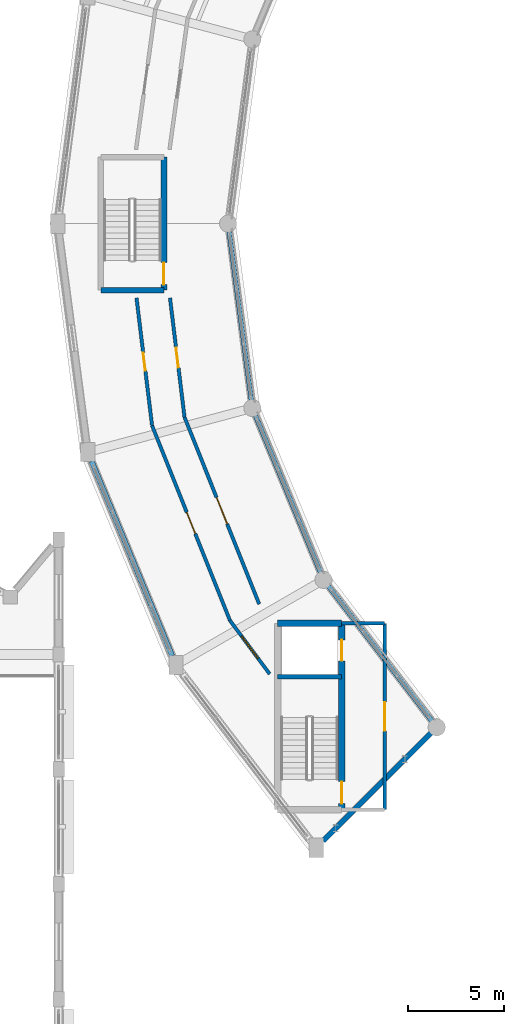
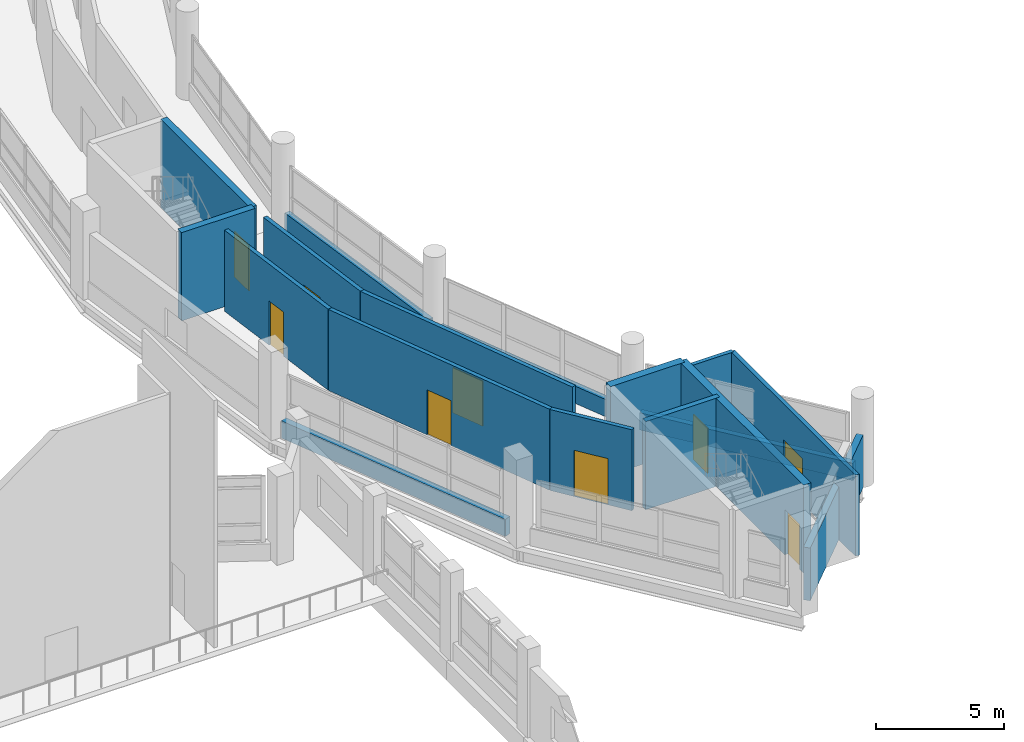
# One storey, part 109 of 128: 17 walls, 9 doors, 9 openings.
"""IFC4 building model written with IfcOpenShell, lengths in metres."""

from ifc_helpers import new_model, si_unit, direction, frame, frame_2d, origin, place, context, subcontext, project, spatial, rectangle, extrude, material, layer, layer_set, type_object, element, fill, save


model = new_model("IFC4")

# Units and contexts
model_context = context("Model", 3, precision=1e-05, world=origin(), true_north=direction((0.0, 1.0)))
body_context = subcontext(model_context, "Body", "Model", "MODEL_VIEW")
ifc_project = project(units=[si_unit("LENGTHUNIT", "METRE"), si_unit("AREAUNIT", "SQUARE_METRE"), si_unit("VOLUMEUNIT", "CUBIC_METRE"), si_unit("PLANEANGLEUNIT", "RADIAN"), si_unit("MASSUNIT", "GRAM", prefix="KILO")], contexts=[model_context])

# Site, building, storey
site_placement = place(None, origin())
site = spatial("IfcSite", under=ifc_project, at=site_placement, CompositionType="ELEMENT")
building_placement = place(site_placement, origin())
building = spatial("IfcBuilding", under=site, at=building_placement, Name="Vespera Passage Community Centre", CompositionType="ELEMENT")
storey_placement = place(building_placement, frame((0.0, 0.0, 4.5)))
storey = spatial("IfcBuildingStorey", under=building, at=storey_placement, Name="L01", CompositionType="ELEMENT", Elevation=4.5)

# Wall, opening, door
ifc_material_1 = material(Name="Concrete f'c 45 MPa", Category="concrete")
ifc_layer_1 = layer(ifc_material_1, 0.300048828125)
ifc_layer_set_1 = layer_set([ifc_layer_1], Name="Concrete f'c 45 MPa")
wall_type_1 = type_object("IfcWallType", Name="WT-CORE-300I", PredefinedType="SHEAR", material=ifc_layer_set_1)
wall_1_placement = place(storey_placement, frame((37.449951171875, 68.97509765625, 0.0), z_axis=(0.0, 0.0, 1.0), x_axis=(0.0, -1.0, 0.0)))
wall_1 = element("IfcWall", 1, at=wall_1_placement, inside=storey, type_object=wall_type_1, Name="Core C2 L01 Shear Wall FRONT", PredefinedType="SHEAR", context=body_context, shape_type="SweptSolid", body=[
    extrude(rectangle(XDim=6.9501953125, YDim=0.300048828125, at=frame_2d((3.47509765625, 0.0))), origin(), (0.0, 0.0, 1.0), 4.199951171875),
])
opening_1_placement = place(wall_1_placement, frame((5.5048828125, 0.0, 0.0)))
opening_1 = element("IfcOpeningElement", 2, at=opening_1_placement, cuts=wall_1, Name="Opening DT-STAIR-90", PredefinedType="OPENING", context=body_context, shape_type="SweptSolid", body=[
    extrude(rectangle(XDim=1.14990234375, YDim=2.14990234375, at=frame_2d((0.574951171875, 1.074951171875))), frame((0.0, 0.159912109375, 0.0), z_axis=(0.0, -1.0, 0.0), x_axis=(1.0, 0.0, 0.0)), (0.0, 0.0, 1.0), 0.320068359375),
])
ifc_material_2 = material(Name="Painted hollow-metal acoustic door", Category="steel")
door_type_1 = type_object("IfcDoorType", Name="DT-STAIR-90", OperationType="NOTDEFINED", PredefinedType="DOOR", material=ifc_material_2)
door_1_placement = place(opening_1_placement, origin())
door_1 = element("IfcDoor", 3, at=door_1_placement, inside=storey, type_object=door_type_1, Name="Core C2 L01 Exit Stair Door D-066", OperationType="SINGLE_SWING_RIGHT", OverallHeight=2.14990234375, OverallWidth=1.14990234375, PredefinedType="DOOR", context=body_context, shape_type="SweptSolid", body=[
    extrude(rectangle(XDim=1.14990234375, YDim=2.14990234375, at=frame_2d((0.574951171875, 1.074951171875))), frame((0.0, 0.02490234375, 0.0), z_axis=(0.0, -1.0, 0.0), x_axis=(1.0, 0.0, 0.0)), (0.0, 0.0, 1.0), 0.050048828125),
])
fill(opening_1, door_1)

# Wall
wall_2_placement = place(storey_placement, frame((37.449951171875, 62.02490234375, 0.0), z_axis=(0.0, 0.0, 1.0), x_axis=(-1.0, 0.0, 0.0)))
element("IfcWall", 4, at=wall_2_placement, inside=storey, type_object=wall_type_1, Name="Core C2 L01 Shear Wall LEFT", PredefinedType="SHEAR", context=body_context, shape_type="SweptSolid", body=[
    extrude(rectangle(XDim=3.300048828125, YDim=0.300048828125, at=frame_2d((1.64990234375, 0.0))), origin(), (0.0, 0.0, 1.0), 4.199951171875),
])

# Wall, openings, doors
ifc_material_3 = material(Name="Concrete f'c 45 MPa", Category="concrete")
ifc_layer_2 = layer(ifc_material_3, 0.340087890625)
ifc_layer_set_2 = layer_set([ifc_layer_2], Name="Concrete f'c 45 MPa")
wall_type_2 = type_object("IfcWallType", Name="WT-CORE-340I", PredefinedType="SHEAR", material=ifc_layer_set_2)
wall_3_placement = place(storey_placement, frame((46.73095703125, 44.6298828125, 0.0), z_axis=(0.0, 0.0, 1.0), x_axis=(0.0, -1.0, 0.0)))
wall_3 = element("IfcWall", 5, at=wall_3_placement, inside=storey, type_object=wall_type_2, Name="Core C3 L01 Shear Wall FRONT", PredefinedType="SHEAR", context=body_context, shape_type="SweptSolid", body=[
    extrude(rectangle(XDim=9.72998046875, YDim=0.340087890625, at=frame_2d((4.864990234375, 0.0))), origin(), (0.0, 0.0, 1.0), 4.199951171875),
])
opening_2_placement = place(wall_3_placement, frame((8.264892578125, 0.0, 0.0)))
opening_2 = element("IfcOpeningElement", 6, at=opening_2_placement, cuts=wall_3, Name="Opening DT-STAIR-90", PredefinedType="OPENING", context=body_context, shape_type="SweptSolid", body=[
    extrude(rectangle(XDim=1.14990234375, YDim=2.14990234375, at=frame_2d((0.574951171875, 1.074951171875))), frame((0.0, 0.179931640625, 0.0), z_axis=(0.0, -1.0, 0.0), x_axis=(1.0, 0.0, 0.0)), (0.0, 0.0, 1.0), 0.360107421875),
])
opening_3_placement = place(wall_3_placement, frame((0.8701171875, 0.0, 0.0)))
opening_3 = element("IfcOpeningElement", 7, at=opening_3_placement, cuts=wall_3, Name="Opening DT-LIFT-110", PredefinedType="OPENING", context=body_context, shape_type="SweptSolid", body=[
    extrude(rectangle(XDim=1.10009765625, YDim=2.14990234375, at=frame_2d((0.550048828125, 1.074951171875))), frame((0.0, 0.179931640625, 0.0), z_axis=(0.0, -1.0, 0.0), x_axis=(1.0, 0.0, 0.0)), (0.0, 0.0, 1.0), 0.360107421875),
])
ifc_material_4 = material(Name="Painted hollow-metal acoustic door", Category="steel")
door_type_2 = type_object("IfcDoorType", Name="DT-LIFT-110", OperationType="NOTDEFINED", PredefinedType="DOOR", material=ifc_material_4)
door_2_placement = place(opening_3_placement, origin())
door_2 = element("IfcDoor", 8, at=door_2_placement, inside=storey, type_object=door_type_2, Name="Elevator EL-01 L01 Landing Door LD-011", OperationType="SLIDING_TO_LEFT", OverallHeight=2.14990234375, OverallWidth=1.10009765625, PredefinedType="DOOR", context=body_context, shape_type="SweptSolid", body=[
    extrude(rectangle(XDim=1.10009765625, YDim=2.14990234375, at=frame_2d((0.550048828125, 1.074951171875))), frame((0.0, 0.02490234375, 0.0), z_axis=(0.0, -1.0, 0.0), x_axis=(1.0, 0.0, 0.0)), (0.0, 0.0, 1.0), 0.050048828125),
])
fill(opening_3, door_2)
door_3_placement = place(opening_2_placement, origin())
door_3 = element("IfcDoor", 9, at=door_3_placement, inside=storey, type_object=door_type_1, Name="Core C3 L01 Exit Stair Door D-076", OperationType="SINGLE_SWING_RIGHT", OverallHeight=2.14990234375, OverallWidth=1.14990234375, PredefinedType="DOOR", context=body_context, shape_type="SweptSolid", body=[
    extrude(rectangle(XDim=1.14990234375, YDim=2.14990234375, at=frame_2d((0.574951171875, 1.074951171875))), frame((0.0, 0.02490234375, 0.0), z_axis=(0.0, -1.0, 0.0), x_axis=(1.0, 0.0, 0.0)), (0.0, 0.0, 1.0), 0.050048828125),
])
fill(opening_2, door_3)

# Wall
wall_4_placement = place(storey_placement, frame((43.39111328125, 44.6298828125, 0.0), z_axis=(0.0, 0.0, 1.0), x_axis=(1.0, 0.0, 0.0)))
element("IfcWall", 10, at=wall_4_placement, inside=storey, type_object=wall_type_2, Name="Core C3 L01 Shear Wall RIGHT", PredefinedType="SHEAR", context=body_context, shape_type="SweptSolid", body=[
    extrude(rectangle(XDim=3.33984375, YDim=0.340087890625, at=frame_2d((1.669921875, 0.0))), origin(), (0.0, 0.0, 1.0), 4.199951171875),
])

# Wall, opening, door
ifc_material_5 = material(Name="Gypsum board acoustic stud partition")
ifc_layer_3 = layer(ifc_material_5, 0.179931640625)
ifc_layer_set_3 = layer_set([ifc_layer_3], Name="Gypsum board acoustic stud partition")
wall_type_3 = type_object("IfcWallType", Name="WT-CORR-180I", PredefinedType="PARTITIONING", material=ifc_layer_set_3)
wall_5_placement = place(storey_placement, frame((48.98095703125, 34.89990234375, 0.0), z_axis=(0.0, 0.0, 1.0), x_axis=(0.0, 1.0, 0.0)))
wall_5 = element("IfcWall", 11, at=wall_5_placement, inside=storey, type_object=wall_type_3, Name="Core C3 L01 Lift Lobby Front Wall", PredefinedType="PARTITIONING", context=body_context, shape_type="SweptSolid", body=[
    extrude(rectangle(XDim=9.72998046875, YDim=0.179931640625, at=frame_2d((4.864990234375, 0.0))), origin(), (0.0, 0.0, 1.0), 3.85498046875),
])
opening_4_placement = place(wall_5_placement, frame((4.114990234375, 0.0, 0.0)))
opening_4 = element("IfcOpeningElement", 12, at=opening_4_placement, cuts=wall_5, Name="Opening DT-CORR-150", PredefinedType="OPENING", context=body_context, shape_type="SweptSolid", body=[
    extrude(rectangle(XDim=1.5, YDim=2.14990234375, at=frame_2d((0.75, 1.074951171875))), frame((0.0, 0.099853515625, 0.0), z_axis=(0.0, -1.0, 0.0), x_axis=(1.0, 0.0, 0.0)), (0.0, 0.0, 1.0), 0.199951171875),
])
ifc_material_6 = material(Name="Painted hollow-metal acoustic door", Category="steel")
door_type_3 = type_object("IfcDoorType", Name="DT-CORR-150", OperationType="NOTDEFINED", PredefinedType="DOOR", material=ifc_material_6)
door_4_placement = place(opening_4_placement, origin())
door_4 = element("IfcDoor", 13, at=door_4_placement, inside=storey, type_object=door_type_3, Name="Core C3 L01 Lift Lobby Door D-077", OperationType="SINGLE_SWING_LEFT", OverallHeight=2.14990234375, OverallWidth=1.5, PredefinedType="DOOR", context=body_context, shape_type="SweptSolid", body=[
    extrude(rectangle(XDim=1.5, YDim=2.14990234375, at=frame_2d((0.75, 1.074951171875))), frame((0.0, 0.02490234375, 0.0), z_axis=(0.0, -1.0, 0.0), x_axis=(1.0, 0.0, 0.0)), (0.0, 0.0, 1.0), 0.050048828125),
])
fill(opening_4, door_4)

# Wall
wall_6_placement = place(storey_placement, frame((46.73095703125, 44.6298828125, 0.0), z_axis=(0.0, 0.0, 1.0), x_axis=(1.0, 0.0, 0.0)))
element("IfcWall", 14, at=wall_6_placement, inside=storey, type_object=wall_type_3, Name="Core C3 L01 Lift Lobby Side Wall R", PredefinedType="PARTITIONING", context=body_context, shape_type="SweptSolid", body=[
    extrude(rectangle(XDim=2.25, YDim=0.179931640625, at=frame_2d((1.125, 0.0))), origin(), (0.0, 0.0, 1.0), 3.85498046875),
])

# Wall, opening, door
wall_7_placement = place(storey_placement, frame((36.01513671875, 61.625, 0.0), z_axis=(0.0, 0.0, 1.0), x_axis=(0.121095426368, -0.992640870463, 0.0)))
wall_7 = element("IfcWall", 15, at=wall_7_placement, inside=storey, type_object=wall_type_3, Name="L01 Interior Partition V4-L01-CO09.1", PredefinedType="PARTITIONING", context=body_context, shape_type="SweptSolid", body=[
    extrude(rectangle(XDim=6.717529296875, YDim=0.179931640625, at=frame_2d((3.35888671875, 0.0))), origin(), (0.0, 0.0, 1.0), 3.85498046875),
])
opening_5_placement = place(wall_7_placement, frame((2.8837890625, 0.0, 0.0)))
opening_5 = element("IfcOpeningElement", 16, at=opening_5_placement, cuts=wall_7, Name="Opening DT-CORR-95", PredefinedType="OPENING", context=body_context, shape_type="SweptSolid", body=[
    extrude(rectangle(XDim=0.949951171875, YDim=2.10009765625, at=frame_2d((0.47509765625, 1.050048828125))), frame((0.0, 0.099853515625, 0.0), z_axis=(0.0, -1.0, 0.0), x_axis=(1.0, 0.0, 0.0)), (0.0, 0.0, 1.0), 0.199951171875),
])
ifc_material_7 = material(Name="Painted hollow-metal acoustic door", Category="steel")
door_type_4 = type_object("IfcDoorType", Name="DT-CORR-95", OperationType="NOTDEFINED", PredefinedType="DOOR", material=ifc_material_7)
door_5_placement = place(opening_5_placement, origin())
door_5 = element("IfcDoor", 17, at=door_5_placement, inside=storey, type_object=door_type_4, Name="L01 Interior Door D-178", OperationType="SINGLE_SWING_RIGHT", OverallHeight=2.10009765625, OverallWidth=0.949951171875, PredefinedType="DOOR", context=body_context, shape_type="SweptSolid", body=[
    extrude(rectangle(XDim=0.949951171875, YDim=2.10009765625, at=frame_2d((0.47509765625, 1.050048828125))), frame((0.0, 0.02490234375, 0.0), z_axis=(0.0, -1.0, 0.0), x_axis=(1.0, 0.0, 0.0)), (0.0, 0.0, 1.0), 0.050048828125),
])
fill(opening_5, door_5)

wall_8_placement = place(storey_placement, frame((37.763427734375, 61.625, 0.0), z_axis=(0.0, 0.0, 1.0), x_axis=(0.12105344106, -0.992645991483, 0.0)))
wall_8 = element("IfcWall", 18, at=wall_8_placement, inside=storey, type_object=wall_type_3, Name="L01 Interior Partition V4-L01-CI09.1", PredefinedType="PARTITIONING", context=body_context, shape_type="SweptSolid", body=[
    extrude(rectangle(XDim=6.2802734375, YDim=0.179931640625, at=frame_2d((3.14013671875, 0.0))), origin(), (0.0, 0.0, 1.0), 3.85498046875),
])
opening_6_placement = place(wall_8_placement, frame((2.615234375, 0.0, 0.0)))
opening_6 = element("IfcOpeningElement", 19, at=opening_6_placement, cuts=wall_8, Name="Opening DT-CORR-105", PredefinedType="OPENING", context=body_context, shape_type="SweptSolid", body=[
    extrude(rectangle(XDim=1.050048828125, YDim=2.10009765625, at=frame_2d((0.52490234375, 1.050048828125))), frame((0.0, 0.099853515625, 0.0), z_axis=(0.0, -1.0, 0.0), x_axis=(1.0, 0.0, 0.0)), (0.0, 0.0, 1.0), 0.199951171875),
])
ifc_material_8 = material(Name="Painted hollow-metal acoustic door", Category="steel")
door_type_5 = type_object("IfcDoorType", Name="DT-CORR-105", OperationType="NOTDEFINED", PredefinedType="DOOR", material=ifc_material_8)
door_6_placement = place(opening_6_placement, origin())
door_6 = element("IfcDoor", 20, at=door_6_placement, inside=storey, type_object=door_type_5, Name="L01 Interior Door D-179", OperationType="SINGLE_SWING_LEFT", OverallHeight=2.10009765625, OverallWidth=1.050048828125, PredefinedType="DOOR", context=body_context, shape_type="SweptSolid", body=[
    extrude(rectangle(XDim=1.050048828125, YDim=2.10009765625, at=frame_2d((0.52490234375, 1.050048828125))), frame((0.0, 0.02490234375, 0.0), z_axis=(0.0, -1.0, 0.0), x_axis=(1.0, 0.0, 0.0)), (0.0, 0.0, 1.0), 0.050048828125),
])
fill(opening_6, door_6)

wall_9_placement = place(storey_placement, frame((36.82861328125, 54.956787109375, 0.0), z_axis=(0.0, 0.0, 1.0), x_axis=(0.370918279433, -0.928665510279, 0.0)))
wall_9 = element("IfcWall", 21, at=wall_9_placement, inside=storey, type_object=wall_type_3, Name="L01 Interior Partition V4-L01-CO10.1", PredefinedType="PARTITIONING", context=body_context, shape_type="SweptSolid", body=[
    extrude(rectangle(XDim=10.961181640625, YDim=0.179931640625, at=frame_2d((5.48046875, 0.0))), origin(), (0.0, 0.0, 1.0), 3.85498046875),
])
opening_7_placement = place(wall_9_placement, frame((4.880615234375, 0.0, 0.0)))
opening_7 = element("IfcOpeningElement", 22, at=opening_7_placement, cuts=wall_9, Name="Opening DT-CORR-120", PredefinedType="OPENING", context=body_context, shape_type="SweptSolid", body=[
    extrude(rectangle(XDim=1.199951171875, YDim=2.14990234375, at=frame_2d((0.60009765625, 1.074951171875))), frame((0.0, 0.099853515625, 0.0), z_axis=(0.0, -1.0, 0.0), x_axis=(1.0, 0.0, 0.0)), (0.0, 0.0, 1.0), 0.199951171875),
])
ifc_material_9 = material(Name="Painted hollow-metal acoustic door", Category="steel")
door_type_6 = type_object("IfcDoorType", Name="DT-CORR-120", OperationType="NOTDEFINED", PredefinedType="DOOR", material=ifc_material_9)
door_7_placement = place(opening_7_placement, origin())
door_7 = element("IfcDoor", 23, at=door_7_placement, inside=storey, type_object=door_type_6, Name="L01 Interior Door D-180", OperationType="SINGLE_SWING_RIGHT", OverallHeight=2.14990234375, OverallWidth=1.199951171875, PredefinedType="DOOR", context=body_context, shape_type="SweptSolid", body=[
    extrude(rectangle(XDim=1.199951171875, YDim=2.14990234375, at=frame_2d((0.60009765625, 1.074951171875))), frame((0.0, 0.02490234375, 0.0), z_axis=(0.0, -1.0, 0.0), x_axis=(1.0, 0.0, 0.0)), (0.0, 0.0, 1.0), 0.050048828125),
])
fill(opening_7, door_7)

wall_10_placement = place(storey_placement, frame((38.523681640625, 55.390869140625, 0.0), z_axis=(0.0, 0.0, 1.0), x_axis=(0.370942047159, -0.92865601686, 0.0)))
wall_10 = element("IfcWall", 24, at=wall_10_placement, inside=storey, type_object=wall_type_3, Name="L01 Interior Partition V4-L01-CI10.1", PredefinedType="PARTITIONING", context=body_context, shape_type="SweptSolid", body=[
    extrude(rectangle(XDim=10.509521484375, YDim=0.179931640625, at=frame_2d((5.2548828125, 0.0))), origin(), (0.0, 0.0, 1.0), 3.85498046875),
])
opening_8_placement = place(wall_10_placement, frame((4.5048828125, 0.0, 0.0)))
opening_8 = element("IfcOpeningElement", 25, at=opening_8_placement, cuts=wall_10, Name="Opening DT-CORR-150", PredefinedType="OPENING", context=body_context, shape_type="SweptSolid", body=[
    extrude(rectangle(XDim=1.5, YDim=2.14990234375, at=frame_2d((0.75, 1.074951171875))), frame((0.0, 0.099853515625, 0.0), z_axis=(0.0, -1.0, 0.0), x_axis=(1.0, 0.0, 0.0)), (0.0, 0.0, 1.0), 0.199951171875),
])
door_8_placement = place(opening_8_placement, origin())
door_8 = element("IfcDoor", 26, at=door_8_placement, inside=storey, type_object=door_type_3, Name="L01 Interior Door D-181", OperationType="SINGLE_SWING_LEFT", OverallHeight=2.14990234375, OverallWidth=1.5, PredefinedType="DOOR", context=body_context, shape_type="SweptSolid", body=[
    extrude(rectangle(XDim=1.5, YDim=2.14990234375, at=frame_2d((0.75, 1.074951171875))), frame((0.0, 0.02490234375, 0.0), z_axis=(0.0, -1.0, 0.0), x_axis=(1.0, 0.0, 0.0)), (0.0, 0.0, 1.0), 0.050048828125),
])
fill(opening_8, door_8)

wall_11_placement = place(storey_placement, frame((40.894287109375, 44.777587890625, 0.0), z_axis=(0.0, 0.0, 1.0), x_axis=(0.59610205182, -0.802908677134, 0.0)))
wall_11 = element("IfcWall", 27, at=wall_11_placement, inside=storey, type_object=wall_type_3, Name="L01 Interior Partition V4-L01-CO11.1", PredefinedType="PARTITIONING", context=body_context, shape_type="SweptSolid", body=[
    extrude(rectangle(XDim=3.483642578125, YDim=0.179931640625, at=frame_2d((1.74169921875, 0.0))), origin(), (0.0, 0.0, 1.0), 3.85498046875),
])
opening_9_placement = place(wall_11_placement, frame((1.01708984375, 0.0, 0.0)))
opening_9 = element("IfcOpeningElement", 28, at=opening_9_placement, cuts=wall_11, Name="Opening DT-PLANT-145", PredefinedType="OPENING", context=body_context, shape_type="SweptSolid", body=[
    extrude(rectangle(XDim=1.449951171875, YDim=2.199951171875, at=frame_2d((0.72509765625, 1.10009765625))), frame((0.0, 0.099853515625, 0.0), z_axis=(0.0, -1.0, 0.0), x_axis=(1.0, 0.0, 0.0)), (0.0, 0.0, 1.0), 0.199951171875),
])
ifc_material_10 = material(Name="Painted hollow-metal acoustic door", Category="steel")
door_type_7 = type_object("IfcDoorType", Name="DT-PLANT-145", OperationType="NOTDEFINED", PredefinedType="DOOR", material=ifc_material_10)
door_9_placement = place(opening_9_placement, origin())
door_9 = element("IfcDoor", 29, at=door_9_placement, inside=storey, type_object=door_type_7, Name="L01 Interior Door D-182", OperationType="SINGLE_SWING_RIGHT", OverallHeight=2.199951171875, OverallWidth=1.449951171875, PredefinedType="DOOR", context=body_context, shape_type="SweptSolid", body=[
    extrude(rectangle(XDim=1.449951171875, YDim=2.199951171875, at=frame_2d((0.72509765625, 1.10009765625))), frame((0.0, 0.02490234375, 0.0), z_axis=(0.0, -1.0, 0.0), x_axis=(1.0, 0.0, 0.0)), (0.0, 0.0, 1.0), 0.050048828125),
])
fill(opening_9, door_9)

# Walls
ifc_material_11 = material(Name="Concrete f'c 45 MPa", Category="concrete")
ifc_layer_4 = layer(ifc_material_11, 0.239990234375)
ifc_layer_set_4 = layer_set([ifc_layer_4], Name="Concrete f'c 45 MPa")
wall_type_4 = type_object("IfcWallType", Name="WT-DIV-240I", PredefinedType="SHEAR", material=ifc_layer_set_4)
wall_12_placement = place(storey_placement, frame((46.73095703125, 41.840087890625, 0.0), z_axis=(0.0, 0.0, 1.0), x_axis=(-1.0, 0.0, 0.0)))
element("IfcWall", 30, at=wall_12_placement, inside=storey, type_object=wall_type_4, Name="Core C3 L01 Hoistway Divider Wall", PredefinedType="SHEAR", context=body_context, shape_type="SweptSolid", body=[
    extrude(rectangle(XDim=3.33984375, YDim=0.239990234375, at=frame_2d((1.669921875, 0.0))), origin(), (0.0, 0.0, 1.0), 4.199951171875),
])
ifc_material_12 = material(Name="Precast concrete f'c 40 MPa", Category="concrete")
ifc_layer_5 = layer(ifc_material_12, 0.25)
ifc_layer_set_5 = layer_set([ifc_layer_5], Name="Precast concrete f'c 40 MPa")
wall_type_5 = type_object("IfcWallType", Name="WT-EXT-250E", PredefinedType="STANDARD", material=ifc_layer_set_5)
wall_13_placement = place(storey_placement, frame((40.836181640625, 65.224853515625, 0.0), z_axis=(0.0, 0.0, 1.0), x_axis=(0.130549698469, -0.991441766434, 0.0)))
element("IfcWall", 31, at=wall_13_placement, inside=storey, type_object=wall_type_5, Name="V4 L01 Court Spandrel Wall I12", PredefinedType="STANDARD", context=body_context, shape_type="SweptSolid", body=[
    extrude(rectangle(XDim=9.156005859375, YDim=0.25, at=frame_2d((4.578125, 0.0))), origin(), (0.0, 0.0, 1.0), 0.820068359375),
])
wall_14_placement = place(storey_placement, frame((42.182373046875, 55.594970703125, 0.0), z_axis=(0.0, 0.0, 1.0), x_axis=(0.382681519675, -0.923880324771, 0.0)))
element("IfcWall", 32, at=wall_14_placement, inside=storey, type_object=wall_type_5, Name="V4 L01 Court Spandrel Wall I13", PredefinedType="STANDARD", context=body_context, shape_type="SweptSolid", body=[
    extrude(rectangle(XDim=9.111572265625, YDim=0.25, at=frame_2d((4.5556640625, 0.0))), origin(), (0.0, 0.0, 1.0), 0.820068359375),
])
wall_15_placement = place(storey_placement, frame((45.998779296875, 46.619873046875, 0.0), z_axis=(0.0, 0.0, 1.0), x_axis=(0.608769580289, -0.793347085527, 0.0)))
element("IfcWall", 33, at=wall_15_placement, inside=storey, type_object=wall_type_5, Name="V4 L01 Court Spandrel Wall I14", PredefinedType="STANDARD", context=body_context, shape_type="SweptSolid", body=[
    extrude(rectangle(XDim=9.0048828125, YDim=0.25, at=frame_2d((4.50244140625, 0.0))), origin(), (0.0, 0.0, 1.0), 0.820068359375),
])
ifc_material_13 = material(Name="Precast concrete f'c 40 MPa", Category="concrete")
ifc_layer_6 = layer(ifc_material_13, 0.280029296875)
ifc_layer_set_6 = layer_set([ifc_layer_6], Name="Precast concrete f'c 40 MPa")
wall_type_6 = type_object("IfcWallType", Name="WT-EXT-280E", PredefinedType="STANDARD", material=ifc_layer_set_6)
wall_16_placement = place(storey_placement, frame((37.878662109375, 42.927001953125, 0.0), z_axis=(0.0, 0.0, 1.0), x_axis=(-0.382695413149, 0.923874569817, 0.0)))
element("IfcWall", 34, at=wall_16_placement, inside=storey, type_object=wall_type_6, Name="V4 L01 Spandrel Wall O13", PredefinedType="STANDARD", context=body_context, shape_type="SweptSolid", body=[
    extrude(rectangle(XDim=11.002197265625, YDim=0.280029296875, at=frame_2d((5.5009765625, 0.0))), origin(), (0.0, 0.0, 1.0), 0.820068359375),
])
wall_17_placement = place(storey_placement, frame((51.413330078125, 38.913330078125, 0.0), z_axis=(0.0, 0.0, 1.0), x_axis=(-0.707106781187, -0.707106781187, 0.0)))
element("IfcWall", 35, at=wall_17_placement, inside=storey, type_object=wall_type_6, Name="V4 L01 Radial End Facade Wall END", PredefinedType="STANDARD", context=body_context, shape_type="SweptSolid", body=[
    extrude(rectangle(XDim=7.995361328125, YDim=0.280029296875, at=frame_2d((3.99755859375, 0.0))), origin(), (0.0, 0.0, 1.0), 2.509765625),
])

save(model, "model.ifc")
